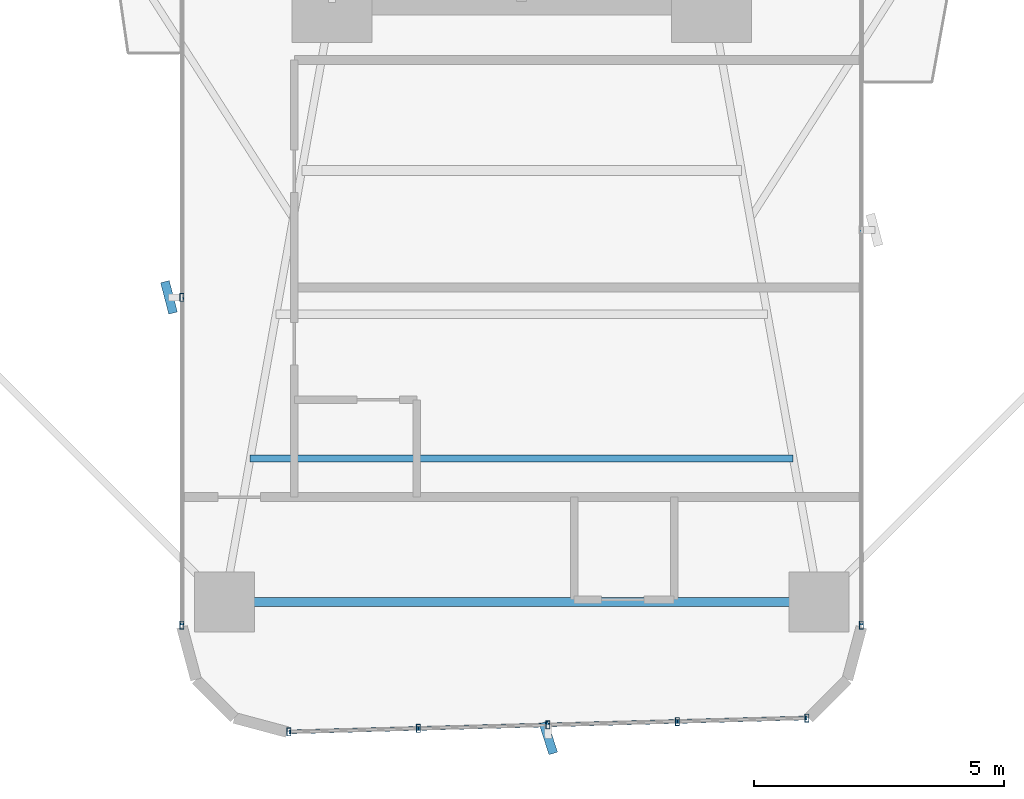
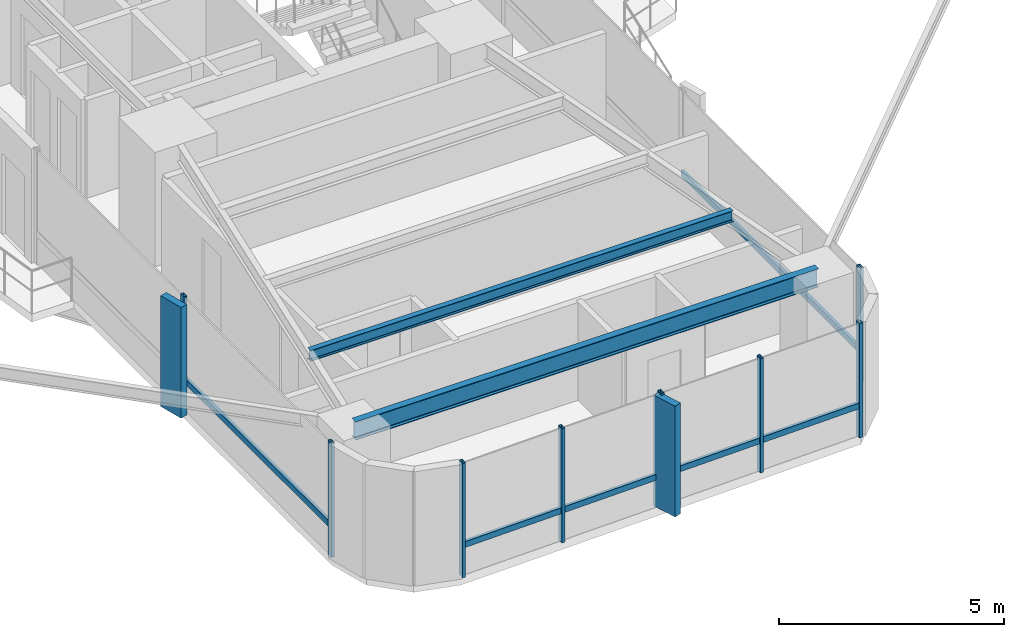
# One storey, part 2 of 25: 16 members, 2 beams, 3 elements without a shape of their own.
"""IFC4 building model written with IfcOpenShell, lengths in metres."""

from ifc_helpers import new_model, si_unit, direction, frame, origin, origin_2d, place, context, subcontext, project, spatial, rectangle, hollow_rectangle, i_section, extrude, source, transform, mapped, material, material_profile, profile_set, type_object, element, aggregate, save


model = new_model("IFC4")

# Units and contexts
model_context = context("Model", 3, precision=1e-05, world=origin(), true_north=direction((0.0, 1.0)))
body_context = subcontext(model_context, "Body", "Model", "MODEL_VIEW")
ifc_project = project(units=[si_unit("LENGTHUNIT", "METRE"), si_unit("AREAUNIT", "SQUARE_METRE"), si_unit("VOLUMEUNIT", "CUBIC_METRE"), si_unit("PLANEANGLEUNIT", "RADIAN"), si_unit("MASSUNIT", "GRAM", prefix="KILO")], contexts=[model_context])

# Site, building, storey
site_placement = place(None, origin())
site = spatial("IfcSite", under=ifc_project, at=site_placement, CompositionType="ELEMENT")
building_placement = place(site_placement, origin())
building = spatial("IfcBuilding", under=site, at=building_placement, Name="Sahyath Konkavel Grand Hotel", CompositionType="ELEMENT")
storey_placement = place(building_placement, frame((0.0, 0.0, 57.75)))
storey = spatial("IfcBuildingStorey", under=building, at=storey_placement, Name="L15", CompositionType="ELEMENT", Elevation=57.75)

# Beams
ifc_material_1 = material(Name="Steel E350", Category="steel")
ifc_material_profile_1 = material_profile(ifc_material_1, i_section(OverallWidth=0.179931640625, OverallDepth=0.5, WebThickness=0.01025390625, FlangeThickness=0.01708984375, FilletRadius=0.01708984375, at=origin_2d()), Name="ISMB 500")
ifc_profile_set_1 = profile_set([ifc_material_profile_1], Name="Steel E350")
beam_type_1 = type_object("IfcBeamType", Name="BM-ISMB500", PredefinedType="BEAM", material=ifc_profile_set_1)
shared_shape_1 = source(origin(), body_context, "Body", "SweptSolid", [
    extrude(i_section(OverallWidth=0.179931640625, OverallDepth=0.5, WebThickness=0.01025390625, FlangeThickness=0.01708984375, FilletRadius=0.01708984375, at=origin_2d()), origin(), (0.0, 0.0, 1.0), 11.89990234375),
])
beam_1_placement = place(storey_placement, frame((-5.949951171875, -22.199951171875, 2.860107421875), z_axis=(1.0, 0.0, 0.0), x_axis=(0.0, 1.0, 0.0)))
element("IfcBeam", 1, at=beam_1_placement, inside=storey, type_object=beam_type_1, Name="L15 Wing Tip Edge Beam S", PredefinedType="BEAM", context=body_context, shape_type="MappedRepresentation", body=[
    mapped(shared_shape_1, transform((0.0, 0.0, 0.0), scale=1.0)),
])
ifc_material_profile_2 = material_profile(ifc_material_1, i_section(OverallWidth=0.139892578125, OverallDepth=0.300048828125, WebThickness=0.0078125, FlangeThickness=0.01318359375, FilletRadius=0.013916015625, at=origin_2d()), Name="ISMB 300")
ifc_profile_set_2 = profile_set([ifc_material_profile_2], Name="Steel E350")
beam_type_2 = type_object("IfcBeamType", Name="BM-ISMB300", PredefinedType="BEAM", material=ifc_profile_set_2)
shared_shape_2 = source(origin(), body_context, "Body", "SweptSolid", [
    extrude(i_section(OverallWidth=0.139892578125, OverallDepth=0.300048828125, WebThickness=0.0078125, FlangeThickness=0.01318359375, FilletRadius=0.013916015625, at=origin_2d()), origin(), (0.0, 0.0, 1.0), 10.8681640625),
])
beam_2_placement = place(storey_placement, frame((-5.43408203125, -19.320068359375, 2.9599609375), z_axis=(1.0, 0.0, 0.0), x_axis=(0.0, 1.0, 0.0)))
element("IfcBeam", 2, at=beam_2_placement, inside=storey, type_object=beam_type_2, Name="L15 Secondary Floor Beam S-3", PredefinedType="BEAM", context=body_context, shape_type="MappedRepresentation", body=[
    mapped(shared_shape_2, transform((0.0, 0.0, 0.0), scale=1.0)),
])

# Curtain wall, member
ifc_material_2 = material(Name="Anodised Bronze Aluminium & Low-E Glazing", Category="aluminium")
curtain_wall_type = type_object("IfcCurtainWallType", Name="CW-ZONE1", PredefinedType="NOTDEFINED", material=ifc_material_2)
curtain_wall_1_placement = place(storey_placement, origin())
curtain_wall_1 = element("IfcCurtainWall", 3, at=curtain_wall_1_placement, inside=storey, type_object=curtain_wall_type, Name="L15 Unitised Curtain Wall F24", PredefinedType="NOTDEFINED")
ifc_material_3 = material(Name="Warm Buff Sandstone Cladding on Concrete C50/60", Category="masonry")
ifc_material_profile_3 = material_profile(ifc_material_3, rectangle(XDim=0.179931640625, YDim=0.64990234375, at=origin_2d()), Name="FIN 180x650")
ifc_profile_set_3 = profile_set([ifc_material_profile_3], Name="Warm Buff Sandstone Cladding on Concrete C50/60")
member_type_1 = type_object("IfcMemberType", Name="FIN-SANDSTONE-650", PredefinedType="MULLION", material=ifc_profile_set_3)
shared_shape_3 = source(origin(), body_context, "Body", "SweptSolid", [
    extrude(rectangle(XDim=0.179931640625, YDim=0.64990234375, at=origin_2d()), origin(), (0.0, 0.0, 1.0), 3.010009765625),
])
member_1_placement = place(storey_placement, frame((-7.06005859375, -16.10009765625, 0.050048828125), z_axis=(0.0, 0.0, 1.0), x_axis=(0.967884912253, 0.251393708421, 0.0)))
member_1 = element("IfcMember", 4, at=member_1_placement, type_object=member_type_1, Name="L15 Sandstone Vertical Solar Fin FIN F24-1", PredefinedType="MULLION", context=body_context, shape_type="MappedRepresentation", body=[
    mapped(shared_shape_3, transform((0.0, 0.0, 0.0), scale=1.0)),
])

curtain_wall_2_placement = place(storey_placement, origin())
curtain_wall_2 = element("IfcCurtainWall", 5, at=curtain_wall_2_placement, inside=storey, type_object=curtain_wall_type, Name="L15 Unitised Curtain Wall F28", PredefinedType="NOTDEFINED")
member_2_placement = place(storey_placement, frame((0.531982421875, -24.919189453125, 0.050048828125), z_axis=(0.0, 0.0, 1.0), x_axis=(0.952236042525, 0.30536293049, 0.0)))
member_2 = element("IfcMember", 6, at=member_2_placement, type_object=member_type_1, Name="L15 Sandstone Vertical Solar Fin FIN F28-2", PredefinedType="MULLION", context=body_context, shape_type="MappedRepresentation", body=[
    mapped(shared_shape_3, transform((0.0, 0.0, 0.0), scale=1.0)),
])

curtain_wall_3_placement = place(storey_placement, origin())
curtain_wall_3 = element("IfcCurtainWall", 7, at=curtain_wall_3_placement, inside=storey, type_object=curtain_wall_type, Name="L15 Unitised Curtain Wall F31", PredefinedType="NOTDEFINED")
ifc_material_4 = material(Name="Anodised Bronze Aluminium", Category="aluminium")
ifc_material_profile_4 = material_profile(ifc_material_4, hollow_rectangle(XDim=0.080078125, YDim=0.159912109375, WallThickness=0.006103515625, at=origin_2d()), Name="RHS 160x80x6")
ifc_profile_set_4 = profile_set([ifc_material_profile_4], Name="Anodised Bronze Aluminium")
member_type_2 = type_object("IfcMemberType", Name="CW-TRN-160", PredefinedType="USERDEFINED", material=ifc_profile_set_4)
shared_shape_4 = source(origin(), body_context, "Body", "SweptSolid", [
    extrude(hollow_rectangle(XDim=0.080078125, YDim=0.159912109375, WallThickness=0.006103515625, at=origin_2d()), origin(), (0.0, 0.0, 1.0), 7.909912109375),
])
member_3_placement = place(storey_placement, frame((6.800048828125, -22.659912109375, 0.85009765625), z_axis=(0.0, 1.0, 0.0), x_axis=(-1.0, 0.0, 0.0)))
member_3 = element("IfcMember", 8, at=member_3_placement, type_object=member_type_2, Name="L15 Curtain Wall Transom F31-0-spandrel", ObjectType="TRANSOM", PredefinedType="USERDEFINED", context=body_context, shape_type="MappedRepresentation", body=[
    mapped(shared_shape_4, transform((0.0, 0.0, 0.0), scale=1.0)),
])

# Member
shared_shape_5 = source(origin(), body_context, "Body", "SweptSolid", [
    extrude(hollow_rectangle(XDim=0.080078125, YDim=0.159912109375, WallThickness=0.006103515625, at=origin_2d()), origin(), (0.0, 0.0, 1.0), 2.593505859375),
])
member_4_placement = place(storey_placement, frame((-4.659912109375, -24.798828125, 0.85009765625), z_axis=(0.999637507825, 0.026923093252, 0.0), x_axis=(-0.026923093252, 0.999637507825, 0.0)))
member_4 = element("IfcMember", 9, at=member_4_placement, type_object=member_type_2, Name="L15 Curtain Wall Transom F28-0-spandrel", ObjectType="TRANSOM", PredefinedType="USERDEFINED", context=body_context, shape_type="MappedRepresentation", body=[
    mapped(shared_shape_5, transform((0.0, 0.0, 0.0), scale=1.0)),
])

member_5_placement = place(storey_placement, frame((0.52490234375, -24.6591796875, 0.85009765625), z_axis=(0.999640036937, 0.02682902444, 0.0), x_axis=(-0.02682902444, 0.999640036937, 0.0)))
member_5 = element("IfcMember", 10, at=member_5_placement, type_object=member_type_2, Name="L15 Curtain Wall Transom F28-2-spandrel", ObjectType="TRANSOM", PredefinedType="USERDEFINED", context=body_context, shape_type="MappedRepresentation", body=[
    mapped(shared_shape_5, transform((0.0, 0.0, 0.0), scale=1.0)),
])

member_6_placement = place(storey_placement, frame((3.117431640625, -24.589599609375, 0.85009765625), z_axis=(0.999637507825, 0.026923093252, 0.0), x_axis=(-0.026923093252, 0.999637507825, 0.0)))
member_6 = element("IfcMember", 11, at=member_6_placement, type_object=member_type_2, Name="L15 Curtain Wall Transom F28-3-spandrel", ObjectType="TRANSOM", PredefinedType="USERDEFINED", context=body_context, shape_type="MappedRepresentation", body=[
    mapped(shared_shape_5, transform((0.0, 0.0, 0.0), scale=1.0)),
])

shared_shape_6 = source(origin(), body_context, "Body", "SweptSolid", [
    extrude(hollow_rectangle(XDim=0.080078125, YDim=0.159912109375, WallThickness=0.006103515625, at=origin_2d()), origin(), (0.0, 0.0, 1.0), 2.59326171875),
])
member_7_placement = place(storey_placement, frame((-2.0673828125, -24.72900390625, 0.85009765625), z_axis=(0.99963743958, 0.026925627022, 0.0), x_axis=(-0.026925627022, 0.99963743958, 0.0)))
member_7 = element("IfcMember", 12, at=member_7_placement, type_object=member_type_2, Name="L15 Curtain Wall Transom F28-1-spandrel", ObjectType="TRANSOM", PredefinedType="USERDEFINED", context=body_context, shape_type="MappedRepresentation", body=[
    mapped(shared_shape_6, transform((0.0, 0.0, 0.0), scale=1.0)),
])

ifc_material_profile_5 = material_profile(ifc_material_4, hollow_rectangle(XDim=0.080078125, YDim=0.159912109375, WallThickness=0.006103515625, at=origin_2d()), Name="RHS 160x80x6")
ifc_profile_set_5 = profile_set([ifc_material_profile_5], Name="Anodised Bronze Aluminium")
member_type_3 = type_object("IfcMemberType", Name="CW-MUL-160", PredefinedType="MULLION", material=ifc_profile_set_5)
shared_shape_7 = source(origin(), body_context, "Body", "SweptSolid", [
    extrude(hollow_rectangle(XDim=0.080078125, YDim=0.159912109375, WallThickness=0.006103515625, at=origin_2d()), origin(), (0.0, 0.0, 1.0), 3.110107421875),
])
member_8_placement = place(storey_placement, frame((-6.800048828125, -16.10009765625, 0.0), z_axis=(0.0, 0.0, 1.0), x_axis=(1.0, 0.0, 0.0)))
member_8 = element("IfcMember", 13, at=member_8_placement, type_object=member_type_3, Name="L15 Curtain Wall Mullion F24-1", PredefinedType="MULLION", context=body_context, shape_type="MappedRepresentation", body=[
    mapped(shared_shape_7, transform((0.0, 0.0, 0.0), scale=1.0)),
])

member_9_placement = place(storey_placement, frame((-6.800048828125, -22.659912109375, 0.0), z_axis=(0.0, 0.0, 1.0), x_axis=(1.0, 0.0, 0.0)))
member_9 = element("IfcMember", 14, at=member_9_placement, type_object=member_type_3, Name="L15 Curtain Wall Mullion F24-2", PredefinedType="MULLION", context=body_context, shape_type="MappedRepresentation", body=[
    mapped(shared_shape_7, transform((0.0, 0.0, 0.0), scale=1.0)),
])

member_10_placement = place(storey_placement, frame((-4.659912109375, -24.798828125, 0.0), z_axis=(0.0, 0.0, 1.0), x_axis=(1.0, 0.0, 0.0)))
member_10 = element("IfcMember", 15, at=member_10_placement, type_object=member_type_3, Name="L15 Curtain Wall Mullion F28-0", PredefinedType="MULLION", context=body_context, shape_type="MappedRepresentation", body=[
    mapped(shared_shape_7, transform((0.0, 0.0, 0.0), scale=1.0)),
])

member_11_placement = place(storey_placement, frame((-2.0673828125, -24.72900390625, 0.0), z_axis=(0.0, 0.0, 1.0), x_axis=(1.0, 0.0, 0.0)))
member_11 = element("IfcMember", 16, at=member_11_placement, type_object=member_type_3, Name="L15 Curtain Wall Mullion F28-1", PredefinedType="MULLION", context=body_context, shape_type="MappedRepresentation", body=[
    mapped(shared_shape_7, transform((0.0, 0.0, 0.0), scale=1.0)),
])

member_12_placement = place(storey_placement, frame((0.52490234375, -24.6591796875, 0.0), z_axis=(0.0, 0.0, 1.0), x_axis=(1.0, 0.0, 0.0)))
member_12 = element("IfcMember", 17, at=member_12_placement, type_object=member_type_3, Name="L15 Curtain Wall Mullion F28-2", PredefinedType="MULLION", context=body_context, shape_type="MappedRepresentation", body=[
    mapped(shared_shape_7, transform((0.0, 0.0, 0.0), scale=1.0)),
])

member_13_placement = place(storey_placement, frame((3.117431640625, -24.589599609375, 0.0), z_axis=(0.0, 0.0, 1.0), x_axis=(1.0, 0.0, 0.0)))
member_13 = element("IfcMember", 18, at=member_13_placement, type_object=member_type_3, Name="L15 Curtain Wall Mullion F28-3", PredefinedType="MULLION", context=body_context, shape_type="MappedRepresentation", body=[
    mapped(shared_shape_7, transform((0.0, 0.0, 0.0), scale=1.0)),
])

member_14_placement = place(storey_placement, frame((5.7099609375, -24.519775390625, 0.0), z_axis=(0.0, 0.0, 1.0), x_axis=(1.0, 0.0, 0.0)))
member_14 = element("IfcMember", 19, at=member_14_placement, type_object=member_type_3, Name="L15 Curtain Wall Mullion F28-4", PredefinedType="MULLION", context=body_context, shape_type="MappedRepresentation", body=[
    mapped(shared_shape_7, transform((0.0, 0.0, 0.0), scale=1.0)),
])

aggregate(curtain_wall_2, [member_10, member_11, member_12, member_2, member_13, member_14, member_4, member_7, member_5, member_6])

member_15_placement = place(storey_placement, frame((6.800048828125, -22.659912109375, 0.0), z_axis=(0.0, 0.0, 1.0), x_axis=(1.0, 0.0, 0.0)))
member_15 = element("IfcMember", 20, at=member_15_placement, type_object=member_type_3, Name="L15 Curtain Wall Mullion F31-0", PredefinedType="MULLION", context=body_context, shape_type="MappedRepresentation", body=[
    mapped(shared_shape_7, transform((0.0, 0.0, 0.0), scale=1.0)),
])

aggregate(curtain_wall_3, [member_15, member_3])

shared_shape_8 = source(origin(), body_context, "Body", "SweptSolid", [
    extrude(hollow_rectangle(XDim=0.080078125, YDim=0.159912109375, WallThickness=0.006103515625, at=origin_2d()), origin(), (0.0, 0.0, 1.0), 6.559814453125),
])
member_16_placement = place(storey_placement, frame((-6.800048828125, -16.10009765625, 0.85009765625), z_axis=(0.0, -1.0, 0.0), x_axis=(1.0, 0.0, 0.0)))
member_16 = element("IfcMember", 21, at=member_16_placement, type_object=member_type_2, Name="L15 Curtain Wall Transom F24-1-spandrel", ObjectType="TRANSOM", PredefinedType="USERDEFINED", context=body_context, shape_type="MappedRepresentation", body=[
    mapped(shared_shape_8, transform((0.0, 0.0, 0.0), scale=1.0)),
])

aggregate(curtain_wall_1, [member_8, member_1, member_9, member_16])

save(model, "model.ifc")
